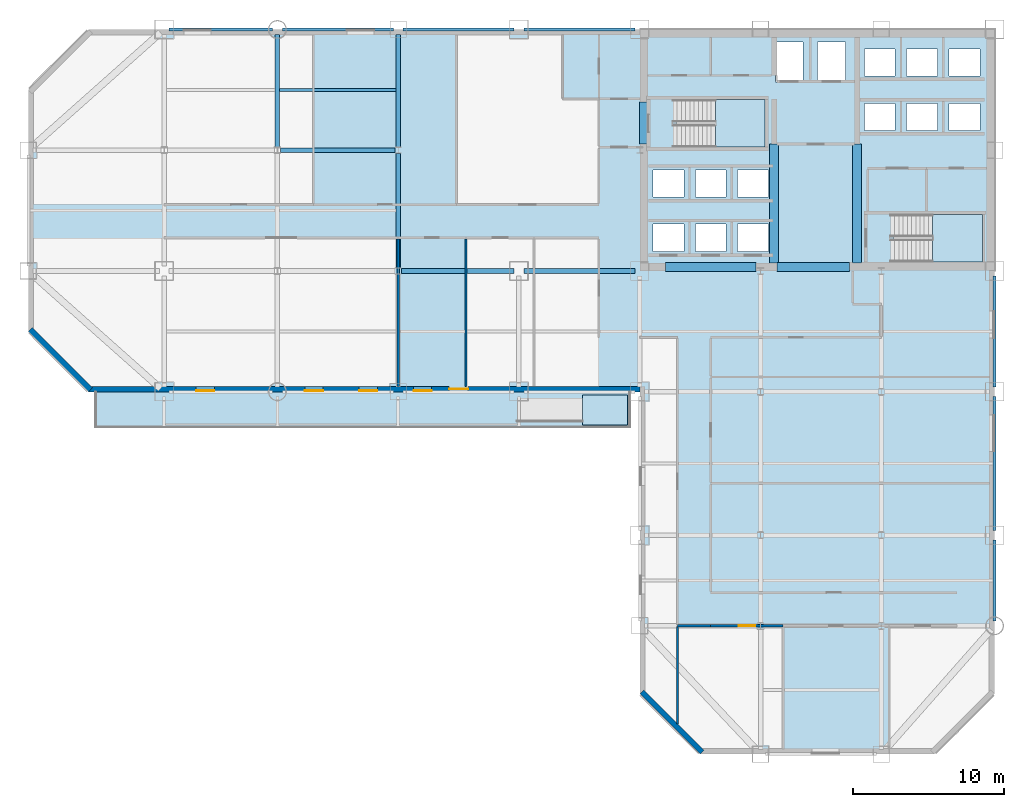
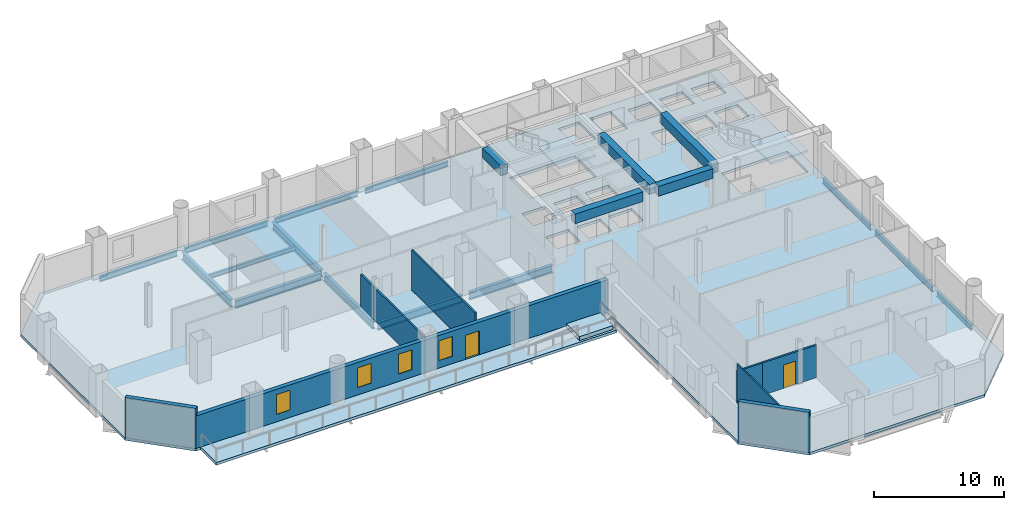
# One storey, part 4 of 9: 19 beams, 8 walls, 5 slabs, 4 windows, 2 doors, 6 openings, 3 elements without a shape of their own.
"""IFC4 building model written with IfcOpenShell, lengths in metres."""

from ifc_helpers import new_model, si_unit, direction, frame, frame_2d, origin, origin_2d, place, context, subcontext, project, spatial, polyline, rectangle, i_section, outline, extrude, material, layer, layer_set, material_profile, profile_set, type_object, element, fill, aggregate, save


model = new_model("IFC4")

# Units and contexts
model_context = context("Model", 3, precision=1e-05, world=origin(), true_north=direction((0.0, 1.0)))
body_context = subcontext(model_context, "Body", "Model", "MODEL_VIEW")
ifc_project = project(units=[si_unit("LENGTHUNIT", "METRE"), si_unit("AREAUNIT", "SQUARE_METRE"), si_unit("VOLUMEUNIT", "CUBIC_METRE"), si_unit("PLANEANGLEUNIT", "RADIAN"), si_unit("MASSUNIT", "GRAM", prefix="KILO")], contexts=[model_context])

# Site, building, storey
site_placement = place(None, origin())
site = spatial("IfcSite", under=ifc_project, at=site_placement, CompositionType="ELEMENT")
building_placement = place(site_placement, origin())
building = spatial("IfcBuilding", under=site, at=building_placement, Name="Qianrong Seaharbour Tower", CompositionType="ELEMENT")
storey_placement = place(building_placement, frame((0.0, 0.0, 100.199951171875)))
storey = spatial("IfcBuildingStorey", under=building, at=storey_placement, Name="L24", CompositionType="ELEMENT", Elevation=100.199951171875)

# Beams
ifc_material_1 = material(Name="Structural steel SN490B", Category="steel")
ifc_material_profile_1 = material_profile(ifc_material_1, i_section(OverallWidth=0.300048828125, OverallDepth=0.699951171875, WebThickness=0.012939453125, FlangeThickness=0.02392578125, FilletRadius=0.02587890625, at=origin_2d()), Name="H700x300x13x24")
ifc_profile_set_1 = profile_set([ifc_material_profile_1], Name="Structural steel SN490B")
beam_type_1 = type_object("IfcBeamType", Name="BM-G-700", PredefinedType="BEAM", material=ifc_profile_set_1)
beam_1_placement = place(storey_placement, frame((24.70361328125, 36.0, -0.599853515625), z_axis=(1.0, 0.0, 0.0), x_axis=(0.0, 1.0, 0.0)))
element("IfcBeam", 1, at=beam_1_placement, inside=storey, type_object=beam_type_1, Name="L24 Primary Girder GF G4-G5", PredefinedType="BEAM", context=body_context, shape_type="SweptSolid", body=[
    extrude(i_section(OverallWidth=0.300048828125, OverallDepth=0.699951171875, WebThickness=0.012939453125, FlangeThickness=0.02392578125, FilletRadius=0.02587890625, at=origin_2d()), origin(), (0.0, 0.0, 1.0), 7.476318359375),
])
beam_2_placement = place(storey_placement, frame((32.820068359375, 36.0, -0.599853515625), z_axis=(1.0, 0.0, 0.0), x_axis=(0.0, 1.0, 0.0)))
element("IfcBeam", 2, at=beam_2_placement, inside=storey, type_object=beam_type_1, Name="L24 Primary Girder GF G5-G6", PredefinedType="BEAM", context=body_context, shape_type="SweptSolid", body=[
    extrude(i_section(OverallWidth=0.300048828125, OverallDepth=0.699951171875, WebThickness=0.012939453125, FlangeThickness=0.02392578125, FilletRadius=0.02587890625, at=origin_2d()), origin(), (0.0, 0.0, 1.0), 7.35986328125),
])
beam_3_placement = place(storey_placement, frame((16.70361328125, 44.0, -0.599853515625), z_axis=(1.0, 0.0, 0.0), x_axis=(0.0, 1.0, 0.0)))
element("IfcBeam", 3, at=beam_3_placement, inside=storey, type_object=beam_type_1, Name="L24 Primary Girder GG G3-G4", PredefinedType="BEAM", context=body_context, shape_type="SweptSolid", body=[
    extrude(i_section(OverallWidth=0.300048828125, OverallDepth=0.699951171875, WebThickness=0.012939453125, FlangeThickness=0.02392578125, FilletRadius=0.02587890625, at=origin_2d()), origin(), (0.0, 0.0, 1.0), 7.5927734375),
])
beam_4_placement = place(storey_placement, frame((16.5, 44.214111328125, -0.599853515625), z_axis=(0.0, 1.0, 0.0), x_axis=(-1.0, 0.0, 0.0)))
element("IfcBeam", 4, at=beam_4_placement, inside=storey, type_object=beam_type_1, Name="L24 Primary Girder G3 GG-GH", PredefinedType="BEAM", context=body_context, shape_type="SweptSolid", body=[
    extrude(i_section(OverallWidth=0.300048828125, OverallDepth=0.699951171875, WebThickness=0.012939453125, FlangeThickness=0.02392578125, FilletRadius=0.02587890625, at=origin_2d()), origin(), (0.0, 0.0, 1.0), 7.4658203125),
])
beam_5_placement = place(storey_placement, frame((24.5, 36.214111328125, -0.599853515625), z_axis=(0.0, 1.0, 0.0), x_axis=(-1.0, 0.0, 0.0)))
element("IfcBeam", 5, at=beam_5_placement, inside=storey, type_object=beam_type_1, Name="L24 Primary Girder G4 GF-GG", PredefinedType="BEAM", context=body_context, shape_type="SweptSolid", body=[
    extrude(i_section(OverallWidth=0.300048828125, OverallDepth=0.699951171875, WebThickness=0.012939453125, FlangeThickness=0.02392578125, FilletRadius=0.02587890625, at=origin_2d()), origin(), (0.0, 0.0, 1.0), 7.57177734375),
])
beam_6_placement = place(storey_placement, frame((24.5, 44.214111328125, -0.599853515625), z_axis=(0.0, 1.0, 0.0), x_axis=(-1.0, 0.0, 0.0)))
element("IfcBeam", 6, at=beam_6_placement, inside=storey, type_object=beam_type_1, Name="L24 Primary Girder G4 GG-GH", PredefinedType="BEAM", context=body_context, shape_type="SweptSolid", body=[
    extrude(i_section(OverallWidth=0.300048828125, OverallDepth=0.699951171875, WebThickness=0.012939453125, FlangeThickness=0.02392578125, FilletRadius=0.02587890625, at=origin_2d()), origin(), (0.0, 0.0, 1.0), 7.4658203125),
])
ifc_material_2 = material(Name="Structural steel SN400B", Category="steel")
ifc_material_profile_2 = material_profile(ifc_material_2, i_section(OverallWidth=0.199951171875, OverallDepth=0.39990234375, WebThickness=0.008056640625, FlangeThickness=0.012939453125, FilletRadius=0.01611328125, at=origin_2d()), Name="H400x200x8x13")
ifc_profile_set_2 = profile_set([ifc_material_profile_2], Name="Structural steel SN400B")
beam_type_2 = type_object("IfcBeamType", Name="BM-J-400", PredefinedType="JOIST", material=ifc_profile_set_2)
beam_7_placement = place(storey_placement, frame((16.64990234375, 48.0, -0.449951171875), z_axis=(1.0, 0.0, 0.0), x_axis=(0.0, 1.0, 0.0)))
element("IfcBeam", 7, at=beam_7_placement, inside=storey, type_object=beam_type_2, Name="L24 Composite Floor Joist G3-G4/GG-GH", PredefinedType="JOIST", context=body_context, shape_type="SweptSolid", body=[
    extrude(i_section(OverallWidth=0.199951171875, OverallDepth=0.39990234375, WebThickness=0.008056640625, FlangeThickness=0.012939453125, FilletRadius=0.01611328125, at=origin_2d()), origin(), (0.0, 0.0, 1.0), 7.7001953125),
])
ifc_material_3 = material(Name="Concrete C70/85", Category="concrete")
ifc_material_profile_3 = material_profile(ifc_material_3, rectangle(XDim=0.60009765625, YDim=0.89990234375, at=origin_2d()), Name="RC600x900")
ifc_profile_set_3 = profile_set([ifc_material_profile_3], Name="Concrete C70/85")
beam_type_3 = type_object("IfcBeamType", Name="BM-LINTEL-900", PredefinedType="LINTEL", material=ifc_profile_set_3)
beam_8_placement = place(storey_placement, frame((40.77001953125, 44.39990234375, 3.300048828125), z_axis=(0.0, 1.0, 0.0), x_axis=(-1.0, 0.0, 0.0)))
element("IfcBeam", 8, at=beam_8_placement, inside=storey, type_object=beam_type_3, Name="L24 Core Coupling Lintel Beam West", PredefinedType="LINTEL", context=body_context, shape_type="SweptSolid", body=[
    extrude(rectangle(XDim=0.60009765625, YDim=0.89990234375, at=origin_2d()), origin(), (0.0, 0.0, 1.0), 2.800048828125),
])
beam_9_placement = place(storey_placement, frame((42.199951171875, 36.27001953125, 3.300048828125), z_axis=(1.0, 0.0, 0.0), x_axis=(0.0, 1.0, 0.0)))
element("IfcBeam", 9, at=beam_9_placement, inside=storey, type_object=beam_type_3, Name="L24 Core Coupling Lintel Beam CBW", PredefinedType="LINTEL", context=body_context, shape_type="SweptSolid", body=[
    extrude(rectangle(XDim=0.60009765625, YDim=0.89990234375, at=origin_2d()), origin(), (0.0, 0.0, 1.0), 6.0),
])
beam_10_placement = place(storey_placement, frame((49.60009765625, 36.27001953125, 3.300048828125), z_axis=(1.0, 0.0, 0.0), x_axis=(0.0, 1.0, 0.0)))
element("IfcBeam", 10, at=beam_10_placement, inside=storey, type_object=beam_type_3, Name="L24 Core Coupling Lintel Beam CBC", PredefinedType="LINTEL", context=body_context, shape_type="SweptSolid", body=[
    extrude(rectangle(XDim=0.60009765625, YDim=0.89990234375, at=origin_2d()), origin(), (0.0, 0.0, 1.0), 4.7998046875),
])
for number, where, z_axis, x_axis, name in (
    (11, (49.39990234375, 36.5400390625, 3.300048828125), (0.0, 1.0, 0.0), (-1.0, 0.0, 0.0), "L24 Internal Core Coupling Beam IW1"),
    (12, (54.89990234375, 36.5400390625, 3.300048828125), (0.0, 1.0, 0.0), (-1.0, 0.0, 0.0), "L24 Internal Core Coupling Beam IW2"),
):
    element("IfcBeam", number, at=place(storey_placement, frame(where, z_axis=z_axis, x_axis=x_axis)), inside=storey, type_object=beam_type_3, Name=name, PredefinedType="LINTEL", context=body_context, shape_type="SweptSolid", body=[
        extrude(rectangle(XDim=0.60009765625, YDim=0.89990234375, at=origin_2d()), origin(), (0.0, 0.0, 1.0), 7.85986328125),
    ])
ifc_material_profile_4 = material_profile(ifc_material_1, i_section(OverallWidth=0.199951171875, OverallDepth=0.5, WebThickness=0.010009765625, FlangeThickness=0.01611328125, FilletRadius=0.02001953125, at=origin_2d()), Name="H500x200x10x16")
ifc_profile_set_4 = profile_set([ifc_material_profile_4], Name="Structural steel SN490B")
beam_type_4 = type_object("IfcBeamType", Name="BM-SP-500", PredefinedType="SPANDREL", material=ifc_profile_set_4)
beam_11_placement = place(storey_placement, frame((9.320068359375, 52.0, -0.5), z_axis=(1.0, 0.0, 0.0), x_axis=(0.0, 1.0, 0.0)))
element("IfcBeam", 13, at=beam_11_placement, inside=storey, type_object=beam_type_4, Name="L24 Spandrel Girder GH G2-G3", PredefinedType="SPANDREL", context=body_context, shape_type="SweptSolid", body=[
    extrude(i_section(OverallWidth=0.199951171875, OverallDepth=0.5, WebThickness=0.010009765625, FlangeThickness=0.01611328125, FilletRadius=0.02001953125, at=origin_2d()), origin(), (0.0, 0.0, 1.0), 6.85986328125),
])
for number, where, z_axis, x_axis, name in (
    (14, (16.820068359375, 52.0, -0.5), (1.0, 0.0, 0.0), (0.0, 1.0, 0.0), "L24 Spandrel Girder GH G3-G4"),
    (15, (24.820068359375, 52.0, -0.5), (1.0, 0.0, 0.0), (0.0, 1.0, 0.0), "L24 Spandrel Girder GH G4-G5"),
    (16, (32.820068359375, 52.0, -0.5), (1.0, 0.0, 0.0), (0.0, 1.0, 0.0), "L24 Spandrel Girder GH G5-G6"),
):
    element("IfcBeam", number, at=place(storey_placement, frame(where, z_axis=z_axis, x_axis=x_axis)), inside=storey, type_object=beam_type_4, Name=name, PredefinedType="SPANDREL", context=body_context, shape_type="SweptSolid", body=[
        extrude(i_section(OverallWidth=0.199951171875, OverallDepth=0.5, WebThickness=0.010009765625, FlangeThickness=0.01611328125, FilletRadius=0.02001953125, at=origin_2d()), origin(), (0.0, 0.0, 1.0), 7.35986328125),
    ])
beam_12_placement = place(storey_placement, frame((64.0, 12.820068359375, -0.5), z_axis=(0.0, 1.0, 0.0), x_axis=(-1.0, 0.0, 0.0)))
element("IfcBeam", 17, at=beam_12_placement, inside=storey, type_object=beam_type_4, Name="L24 Spandrel Girder G9 GC-GD", PredefinedType="SPANDREL", context=body_context, shape_type="SweptSolid", body=[
    extrude(i_section(OverallWidth=0.199951171875, OverallDepth=0.5, WebThickness=0.010009765625, FlangeThickness=0.01611328125, FilletRadius=0.02001953125, at=origin_2d()), origin(), (0.0, 0.0, 1.0), 5.35986328125),
])
beam_13_placement = place(storey_placement, frame((64.0, 18.820068359375, -0.5), z_axis=(0.0, 1.0, 0.0), x_axis=(-1.0, 0.0, 0.0)))
element("IfcBeam", 18, at=beam_13_placement, inside=storey, type_object=beam_type_4, Name="L24 Spandrel Girder G9 GD-GE", PredefinedType="SPANDREL", context=body_context, shape_type="SweptSolid", body=[
    extrude(i_section(OverallWidth=0.199951171875, OverallDepth=0.5, WebThickness=0.010009765625, FlangeThickness=0.01611328125, FilletRadius=0.02001953125, at=origin_2d()), origin(), (0.0, 0.0, 1.0), 8.85986328125),
])
beam_14_placement = place(storey_placement, frame((64.0, 28.320068359375, -0.5), z_axis=(0.0, 1.0, 0.0), x_axis=(-1.0, 0.0, 0.0)))
element("IfcBeam", 19, at=beam_14_placement, inside=storey, type_object=beam_type_4, Name="L24 Spandrel Girder G9 GE-GF", PredefinedType="SPANDREL", context=body_context, shape_type="SweptSolid", body=[
    extrude(i_section(OverallWidth=0.199951171875, OverallDepth=0.5, WebThickness=0.010009765625, FlangeThickness=0.01611328125, FilletRadius=0.02001953125, at=origin_2d()), origin(), (0.0, 0.0, 1.0), 7.35986328125),
])

# Ramp, slab
ifc_material_4 = material(Name="White architectural precast concrete C45/55", Category="concrete")
ramp_type = type_object("IfcRampType", Name="RAMP-RIBBON-GARDEN", PredefinedType="STRAIGHT_RUN_RAMP", material=ifc_material_4)
ramp_placement = place(storey_placement, origin())
ramp = element("IfcRamp", 20, at=ramp_placement, inside=storey, type_object=ramp_type, Name="L24 Harbourfront Garden Ribbon Ramp", PredefinedType="STRAIGHT_RUN_RAMP")
ifc_layer_1 = layer(ifc_material_4, 0.360107421875)
ifc_layer_set_1 = layer_set([ifc_layer_1], Name="White architectural precast concrete C45/55")
slab_type_1 = type_object("IfcSlabType", Name="SLAB-RAMP-LANDING-220", PredefinedType="LANDING", material=ifc_layer_set_1)
slab_1_placement = place(storey_placement, origin())
slab_1 = element("IfcSlab", 21, at=slab_1_placement, type_object=slab_type_1, Name="L24 Harbourfront Ribbon Raised Garden Landing", PredefinedType="LANDING", context=body_context, shape_type="SweptSolid", body=[
    extrude(outline(polyline([(36.699951171875, 25.800048828125), (39.699951171875, 25.800048828125), (39.699951171875, 27.800048828125), (36.699951171875, 27.800048828125), (36.699951171875, 25.800048828125)])), origin(), (0.0, 0.0, 1.0), 0.360107421875),
])
aggregate(ramp, [slab_1])

# Slab
ifc_layer_2 = layer(ifc_material_4, 0.25)
ifc_layer_set_2 = layer_set([ifc_layer_2], Name="White architectural precast concrete C45/55")
slab_type_2 = type_object("IfcSlabType", Name="SLAB-RIBBON-250", PredefinedType="FLOOR", material=ifc_layer_set_2)
slab_2_placement = place(storey_placement, frame((0.0, 0.0, -0.25)))
element("IfcSlab", 22, at=slab_2_placement, inside=storey, type_object=slab_type_2, Name="L24 Harbourfront White Precast Ribbon Gallery Slab", PredefinedType="FLOOR", context=body_context, shape_type="SweptSolid", body=[
    extrude(outline(polyline([(4.39990234375, 25.60009765625), (39.89990234375, 25.60009765625), (39.89990234375, 28.0), (4.39990234375, 28.0), (4.39990234375, 25.60009765625)])), origin(), (0.0, 0.0, 1.0), 0.25),
])

# Stair, slab
ifc_material_5 = material(Name="Concrete C50/60", Category="concrete")
stair_type = type_object("IfcStairType", Name="STAIR-DOGLEG-1500-R22", PredefinedType="HALF_TURN_STAIR", material=ifc_material_5)
stair_1_placement = place(storey_placement, origin())
stair_1 = element("IfcStair", 23, at=stair_1_placement, inside=storey, type_object=stair_type, Name="L24 Protected Escape Stair ST-1", PredefinedType="HALF_TURN_STAIR")
ifc_layer_3 = layer(ifc_material_5, 0.199951171875)
ifc_layer_set_3 = layer_set([ifc_layer_3], Name="Concrete C50/60")
slab_type_3 = type_object("IfcSlabType", Name="SLAB-STAIR-LANDING-200", PredefinedType="LANDING", material=ifc_layer_set_3)
slab_3_placement = place(storey_placement, frame((0.0, 0.0, 1.800048828125)))
slab_3 = element("IfcSlab", 24, at=slab_3_placement, type_object=slab_type_3, Name="ST-1 landing 1", PredefinedType="LANDING", context=body_context, shape_type="SweptSolid", body=[
    extrude(outline(polyline([(45.5, 44.199951171875), (48.800048828125, 44.199951171875), (48.800048828125, 47.35009765625), (45.5, 47.35009765625), (45.5, 44.199951171875)])), origin(), (0.0, 0.0, 1.0), 0.199951171875),
])
aggregate(stair_1, [slab_3])

stair_2_placement = place(storey_placement, origin())
stair_2 = element("IfcStair", 25, at=stair_2_placement, inside=storey, type_object=stair_type, Name="L24 Protected Escape Stair ST-2", PredefinedType="HALF_TURN_STAIR")
slab_4_placement = place(storey_placement, frame((0.0, 0.0, 1.800048828125)))
slab_4 = element("IfcSlab", 26, at=slab_4_placement, type_object=slab_type_3, Name="ST-2 landing 1", PredefinedType="LANDING", context=body_context, shape_type="SweptSolid", body=[
    extrude(outline(polyline([(59.89990234375, 36.60009765625), (63.199951171875, 36.60009765625), (63.199951171875, 39.75), (59.89990234375, 39.75), (59.89990234375, 36.60009765625)])), origin(), (0.0, 0.0, 1.0), 0.199951171875),
])
aggregate(stair_2, [slab_4])

# Slab
ifc_layer_4 = layer(ifc_material_5, 0.25)
ifc_layer_set_4 = layer_set([ifc_layer_4], Name="Concrete C50/60")
slab_type_4 = type_object("IfcSlabType", Name="SLAB-Z1-250", PredefinedType="FLOOR", material=ifc_layer_set_4)
slab_5_placement = place(storey_placement, frame((0.0, 0.0, -0.25)))
element("IfcSlab", 27, at=slab_5_placement, inside=storey, type_object=slab_type_4, Name="L24 Structural Floor Slab", PredefinedType="FLOOR", context=body_context, shape_type="SweptSolid", body=[
    extrude(outline(polyline([(44.5, 4.0), (60.0, 4.0), (64.0, 8.0), (64.0, 52.0), (4.0, 52.0), (0.0, 48.0), (0.0, 32.0), (4.0, 28.0), (40.5, 28.0), (40.5, 8.0), (44.5, 4.0)]), holes=[polyline([(42.93994140625, 44.199951171875), (42.93994140625, 47.35009765625), (48.800048828125, 47.35009765625), (48.800048828125, 44.199951171875), (42.93994140625, 44.199951171875)]), polyline([(57.340087890625, 36.60009765625), (57.340087890625, 39.75), (63.199951171875, 39.75), (63.199951171875, 36.60009765625), (57.340087890625, 36.60009765625)]), polyline([(49.47998046875, 48.530029296875), (49.47998046875, 51.169921875), (51.320068359375, 51.169921875), (51.320068359375, 48.530029296875), (49.47998046875, 48.530029296875)]), polyline([(52.280029296875, 48.530029296875), (52.280029296875, 51.169921875), (54.1201171875, 51.169921875), (54.1201171875, 48.530029296875), (52.280029296875, 48.530029296875)]), polyline([(41.3798828125, 37.300048828125), (41.3798828125, 39.10009765625), (43.419921875, 39.10009765625), (43.419921875, 37.300048828125), (41.3798828125, 37.300048828125)]), polyline([(44.179931640625, 37.300048828125), (44.179931640625, 39.10009765625), (46.219970703125, 39.10009765625), (46.219970703125, 37.300048828125), (44.179931640625, 37.300048828125)]), polyline([(46.97998046875, 37.300048828125), (46.97998046875, 39.10009765625), (49.02001953125, 39.10009765625), (49.02001953125, 37.300048828125), (46.97998046875, 37.300048828125)]), polyline([(41.3798828125, 40.89990234375), (41.3798828125, 42.699951171875), (43.419921875, 42.699951171875), (43.419921875, 40.89990234375), (41.3798828125, 40.89990234375)]), polyline([(44.179931640625, 40.89990234375), (44.179931640625, 42.699951171875), (46.219970703125, 42.699951171875), (46.219970703125, 40.89990234375), (44.179931640625, 40.89990234375)]), polyline([(46.97998046875, 40.89990234375), (46.97998046875, 42.699951171875), (49.02001953125, 42.699951171875), (49.02001953125, 40.89990234375), (46.97998046875, 40.89990234375)]), polyline([(55.3798828125, 45.300048828125), (55.3798828125, 47.10009765625), (57.419921875, 47.10009765625), (57.419921875, 45.300048828125), (55.3798828125, 45.300048828125)]), polyline([(58.179931640625, 45.300048828125), (58.179931640625, 47.10009765625), (60.219970703125, 47.10009765625), (60.219970703125, 45.300048828125), (58.179931640625, 45.300048828125)]), polyline([(60.97998046875, 45.300048828125), (60.97998046875, 47.10009765625), (63.02001953125, 47.10009765625), (63.02001953125, 45.300048828125), (60.97998046875, 45.300048828125)]), polyline([(55.3798828125, 48.89990234375), (55.3798828125, 50.699951171875), (57.419921875, 50.699951171875), (57.419921875, 48.89990234375), (55.3798828125, 48.89990234375)]), polyline([(58.179931640625, 48.89990234375), (58.179931640625, 50.699951171875), (60.219970703125, 50.699951171875), (60.219970703125, 48.89990234375), (58.179931640625, 48.89990234375)]), polyline([(60.97998046875, 48.89990234375), (60.97998046875, 50.699951171875), (63.02001953125, 50.699951171875), (63.02001953125, 48.89990234375), (60.97998046875, 48.89990234375)])]), origin(), (0.0, 0.0, 1.0), 0.25),
])

# Wall
ifc_material_6 = material(Name="Fire-rated acoustic gypsum board partition")
ifc_layer_5 = layer(ifc_material_6, 0.1650390625)
ifc_layer_set_5 = layer_set([ifc_layer_5], Name="Fire-rated acoustic gypsum board partition")
wall_type_1 = type_object("IfcWallType", Name="WALL-CORR-PART-165", PredefinedType="PARTITIONING", material=ifc_layer_set_5)
wall_1_placement = place(storey_placement, frame((45.199951171875, 12.5, 0.0), z_axis=(0.0, 0.0, 1.0), x_axis=(-1.0, 0.0, 0.0)))
element("IfcWall", 28, at=wall_1_placement, inside=storey, type_object=wall_type_1, Name="L24 Interior Partition Wall 033", PredefinedType="PARTITIONING", context=body_context, shape_type="SweptSolid", body=[
    extrude(rectangle(XDim=2.199951171875, YDim=0.1650390625, at=frame_2d((1.10009765625, 0.0))), origin(), (0.0, 0.0, 1.0), 3.0419921875),
])

# Wall, opening, door
wall_2_placement = place(storey_placement, frame((50.0, 12.5, 0.0), z_axis=(0.0, 0.0, 1.0), x_axis=(-1.0, 0.0, 0.0)))
wall_2 = element("IfcWall", 29, at=wall_2_placement, inside=storey, type_object=wall_type_1, Name="L24 Interior Partition Wall 035", PredefinedType="PARTITIONING", context=body_context, shape_type="SweptSolid", body=[
    extrude(rectangle(XDim=4.800048828125, YDim=0.1650390625, at=frame_2d((2.39990234375, 0.0))), origin(), (0.0, 0.0, 1.0), 3.0419921875),
])
opening_1_placement = place(wall_2_placement, frame((1.85009765625, 0.0, 0.0)))
opening_1 = element("IfcOpeningElement", 30, at=opening_1_placement, cuts=wall_2, Name="Opening DM-01", PredefinedType="OPENING", context=body_context, shape_type="SweptSolid", body=[
    extrude(rectangle(XDim=1.10009765625, YDim=2.199951171875, at=frame_2d((0.550048828125, 1.10009765625))), frame((0.0, 0.092529296875, 0.0), z_axis=(0.0, -1.0, 0.0), x_axis=(1.0, 0.0, 0.0)), (0.0, 0.0, 1.0), 0.18505859375),
])
ifc_material_7 = material(Name="Acoustic timber and galvanized steel fire door assembly", Category="steel")
door_type_1 = type_object("IfcDoorType", Name="DOOR-MEET-1100x2200", OperationType="NOTDEFINED", PredefinedType="DOOR", material=ifc_material_7)
door_1_placement = place(opening_1_placement, origin())
door_1 = element("IfcDoor", 31, at=door_1_placement, inside=storey, type_object=door_type_1, Name="L24 Mediation Meeting Room 1 Door", OperationType="SINGLE_SWING_LEFT", OverallHeight=2.199951171875, OverallWidth=1.10009765625, PredefinedType="DOOR", context=body_context, shape_type="SweptSolid", body=[
    extrude(rectangle(XDim=1.10009765625, YDim=2.199951171875, at=frame_2d((0.550048828125, 1.10009765625))), frame((0.0, 0.02490234375, 0.0), z_axis=(0.0, -1.0, 0.0), x_axis=(1.0, 0.0, 0.0)), (0.0, 0.0, 1.0), 0.050048828125),
])
fill(opening_1, door_1)

# Wall, openings, door, windows
ifc_material_8 = material(Name="Unitised red brick on Precast concrete C45/55", Category="masonry")
ifc_layer_6 = layer(ifc_material_8, 0.360107421875)
ifc_layer_set_6 = layer_set([ifc_layer_6], Name="Unitised red brick on Precast concrete C45/55")
wall_type_2 = type_object("IfcWallType", Name="WALL-EXT-BRICK-RED-360", PredefinedType="SOLIDWALL", material=ifc_layer_set_6)
wall_3_placement = place(storey_placement, frame((40.52001953125, 28.179931640625, 0.0), z_axis=(0.0, 0.0, 1.0), x_axis=(-1.0, 0.0, 0.0)))
wall_3 = element("IfcWall", 32, at=wall_3_placement, inside=storey, type_object=wall_type_2, Name="L24 Exterior Masonry Facade Wall HARBOUR_RIBBON", PredefinedType="SOLIDWALL", context=body_context, shape_type="SweptSolid", body=[
    extrude(rectangle(XDim=36.52001953125, YDim=0.360107421875, at=frame_2d((18.260009765625, 0.0))), origin(), (0.0, 0.0, 1.0), 3.050048828125),
])
opening_2_placement = place(wall_3_placement, frame((13.800048828125, 0.0, 0.699951171875)))
opening_2 = element("IfcOpeningElement", 33, at=opening_2_placement, cuts=wall_3, Name="Opening WN-01", PredefinedType="OPENING", context=body_context, shape_type="SweptSolid", body=[
    extrude(rectangle(XDim=1.199951171875, YDim=1.85009765625, at=frame_2d((0.60009765625, 0.925048828125))), frame((0.0, 0.18994140625, 0.0), z_axis=(0.0, -1.0, 0.0), x_axis=(1.0, 0.0, 0.0)), (0.0, 0.0, 1.0), 0.380126953125),
])
opening_3_placement = place(wall_3_placement, frame((17.39990234375, 0.0, 0.699951171875)))
opening_3 = element("IfcOpeningElement", 34, at=opening_3_placement, cuts=wall_3, Name="Opening WN-01", PredefinedType="OPENING", context=body_context, shape_type="SweptSolid", body=[
    extrude(rectangle(XDim=1.199951171875, YDim=1.85009765625, at=frame_2d((0.60009765625, 0.925048828125))), frame((0.0, 0.18994140625, 0.0), z_axis=(0.0, -1.0, 0.0), x_axis=(1.0, 0.0, 0.0)), (0.0, 0.0, 1.0), 0.380126953125),
])
opening_4_placement = place(wall_3_placement, frame((21.0, 0.0, 0.699951171875)))
opening_4 = element("IfcOpeningElement", 35, at=opening_4_placement, cuts=wall_3, Name="Opening WN-01", PredefinedType="OPENING", context=body_context, shape_type="SweptSolid", body=[
    extrude(rectangle(XDim=1.199951171875, YDim=1.85009765625, at=frame_2d((0.60009765625, 0.925048828125))), frame((0.0, 0.18994140625, 0.0), z_axis=(0.0, -1.0, 0.0), x_axis=(1.0, 0.0, 0.0)), (0.0, 0.0, 1.0), 0.380126953125),
])
opening_5_placement = place(wall_3_placement, frame((28.199951171875, 0.0, 0.699951171875)))
opening_5 = element("IfcOpeningElement", 36, at=opening_5_placement, cuts=wall_3, Name="Opening WN-01", PredefinedType="OPENING", context=body_context, shape_type="SweptSolid", body=[
    extrude(rectangle(XDim=1.199951171875, YDim=1.85009765625, at=frame_2d((0.60009765625, 0.925048828125))), frame((0.0, 0.18994140625, 0.0), z_axis=(0.0, -1.0, 0.0), x_axis=(1.0, 0.0, 0.0)), (0.0, 0.0, 1.0), 0.380126953125),
])
opening_6_placement = place(wall_3_placement, frame((11.39501953125, 0.0, 0.0)))
opening_6 = element("IfcOpeningElement", 37, at=opening_6_placement, cuts=wall_3, Name="Opening D-TER1", PredefinedType="OPENING", context=body_context, shape_type="SweptSolid", body=[
    extrude(rectangle(XDim=1.25, YDim=2.25, at=frame_2d((0.625, 1.125))), frame((0.0, 0.18994140625, 0.0), z_axis=(0.0, -1.0, 0.0), x_axis=(1.0, 0.0, 0.0)), (0.0, 0.0, 1.0), 0.380126953125),
])
ifc_material_9 = material(Name="Insulated galvanized steel and laminated glass door assembly", Category="steel")
door_type_2 = type_object("IfcDoorType", Name="DOOR-EXT-TERRACE-1250x2250", OperationType="NOTDEFINED", PredefinedType="DOOR", material=ifc_material_9)
door_2_placement = place(opening_6_placement, origin())
door_2 = element("IfcDoor", 38, at=door_2_placement, inside=storey, type_object=door_type_2, Name="L24 Harbourfront Ribbon Gallery Access Door", OperationType="SINGLE_SWING_LEFT", OverallHeight=2.25, OverallWidth=1.25, PredefinedType="DOOR", context=body_context, shape_type="SweptSolid", body=[
    extrude(rectangle(XDim=1.25, YDim=2.25, at=frame_2d((0.625, 1.125))), frame((0.0, 0.02490234375, 0.0), z_axis=(0.0, -1.0, 0.0), x_axis=(1.0, 0.0, 0.0)), (0.0, 0.0, 1.0), 0.050048828125),
])
fill(opening_6, door_2)
ifc_material_10 = material(Name="Insulated low-e double glazing in thermally broken aluminium 6063-T6 frame", Category="aluminium")
window_type = type_object("IfcWindowType", Name="WIN-PUNCH-1200x1850", PartitioningType="DOUBLE_PANEL_VERTICAL", PredefinedType="WINDOW", material=ifc_material_10)
window_1_placement = place(opening_2_placement, origin())
window_1 = element("IfcWindow", 39, at=window_1_placement, inside=storey, type_object=window_type, Name="L24 Deep-Set Punched Window 01.04", OverallHeight=1.85009765625, OverallWidth=1.199951171875, PartitioningType="DOUBLE_PANEL_VERTICAL", PredefinedType="WINDOW", context=body_context, shape_type="SweptSolid", body=[
    extrude(rectangle(XDim=1.199951171875, YDim=1.85009765625, at=frame_2d((0.60009765625, 0.925048828125))), frame((0.0, 0.150146484375, 0.0), z_axis=(0.0, -1.0, 0.0), x_axis=(1.0, 0.0, 0.0)), (0.0, 0.0, 1.0), 0.06005859375),
])
fill(opening_2, window_1)
window_2_placement = place(opening_3_placement, origin())
window_2 = element("IfcWindow", 40, at=window_2_placement, inside=storey, type_object=window_type, Name="L24 Deep-Set Punched Window 01.05", OverallHeight=1.85009765625, OverallWidth=1.199951171875, PartitioningType="DOUBLE_PANEL_VERTICAL", PredefinedType="WINDOW", context=body_context, shape_type="SweptSolid", body=[
    extrude(rectangle(XDim=1.199951171875, YDim=1.85009765625, at=frame_2d((0.60009765625, 0.925048828125))), frame((0.0, 0.150146484375, 0.0), z_axis=(0.0, -1.0, 0.0), x_axis=(1.0, 0.0, 0.0)), (0.0, 0.0, 1.0), 0.06005859375),
])
fill(opening_3, window_2)
window_3_placement = place(opening_4_placement, origin())
window_3 = element("IfcWindow", 41, at=window_3_placement, inside=storey, type_object=window_type, Name="L24 Deep-Set Punched Window 01.06", OverallHeight=1.85009765625, OverallWidth=1.199951171875, PartitioningType="DOUBLE_PANEL_VERTICAL", PredefinedType="WINDOW", context=body_context, shape_type="SweptSolid", body=[
    extrude(rectangle(XDim=1.199951171875, YDim=1.85009765625, at=frame_2d((0.60009765625, 0.925048828125))), frame((0.0, 0.150146484375, 0.0), z_axis=(0.0, -1.0, 0.0), x_axis=(1.0, 0.0, 0.0)), (0.0, 0.0, 1.0), 0.06005859375),
])
fill(opening_4, window_3)
window_4_placement = place(opening_5_placement, origin())
window_4 = element("IfcWindow", 42, at=window_4_placement, inside=storey, type_object=window_type, Name="L24 Deep-Set Punched Window 01.08", OverallHeight=1.85009765625, OverallWidth=1.199951171875, PartitioningType="DOUBLE_PANEL_VERTICAL", PredefinedType="WINDOW", context=body_context, shape_type="SweptSolid", body=[
    extrude(rectangle(XDim=1.199951171875, YDim=1.85009765625, at=frame_2d((0.60009765625, 0.925048828125))), frame((0.0, 0.150146484375, 0.0), z_axis=(0.0, -1.0, 0.0), x_axis=(1.0, 0.0, 0.0)), (0.0, 0.0, 1.0), 0.06005859375),
])
fill(opening_5, window_4)

# Walls
for number, where, z_axis, x_axis, name in (
    (43, (4.127197265625, 28.127197265625, 0.0), (0.0, 0.0, 1.0), (-0.707106781187, 0.707106781187, 0.0), "L24 Exterior Masonry Facade Wall E02"),
    (44, (44.627197265625, 4.127197265625, 0.0), (0.0, 0.0, 1.0), (-0.707106781187, 0.707106781187, 0.0), "L24 Exterior Masonry Facade Wall E09"),
):
    element("IfcWall", number, at=place(storey_placement, frame(where, z_axis=z_axis, x_axis=x_axis)), inside=storey, type_object=wall_type_2, Name=name, PredefinedType="SOLIDWALL", context=body_context, shape_type="SweptSolid", body=[
        extrude(rectangle(XDim=5.65673828125, YDim=0.360107421875, at=frame_2d((2.828369140625, 0.0))), origin(), (0.0, 0.0, 1.0), 3.75),
    ])
ifc_material_11 = material(Name="Acoustic gypsum board stud partition")
ifc_layer_7 = layer(ifc_material_11, 0.14501953125)
ifc_layer_set_7 = layer_set([ifc_layer_7], Name="Acoustic gypsum board stud partition")
wall_type_3 = type_object("IfcWallType", Name="WALL-OFFICE-PART-145", PredefinedType="PARTITIONING", material=ifc_layer_set_7)
wall_4_placement = place(storey_placement, frame((24.5, 38.12548828125, 0.0), z_axis=(0.0, 0.0, 1.0), x_axis=(0.0, -1.0, 0.0)))
element("IfcWall", 45, at=wall_4_placement, inside=storey, type_object=wall_type_3, Name="L24 Interior Partition Wall 040", PredefinedType="PARTITIONING", context=body_context, shape_type="SweptSolid", body=[
    extrude(rectangle(XDim=9.7734375, YDim=0.14501953125, at=frame_2d((4.88671875, 0.0))), origin(), (0.0, 0.0, 1.0), 3.0419921875),
])
wall_5_placement = place(storey_placement, frame((29.0, 38.12548828125, 0.0), z_axis=(0.0, 0.0, 1.0), x_axis=(0.0, -1.0, 0.0)))
element("IfcWall", 46, at=wall_5_placement, inside=storey, type_object=wall_type_3, Name="L24 Interior Partition Wall 041", PredefinedType="PARTITIONING", context=body_context, shape_type="SweptSolid", body=[
    extrude(rectangle(XDim=9.7734375, YDim=0.14501953125, at=frame_2d((4.88671875, 0.0))), origin(), (0.0, 0.0, 1.0), 3.75),
])
ifc_material_12 = material(Name="Water-resistant cement board sanitary partition")
ifc_layer_8 = layer(ifc_material_12, 0.1298828125)
ifc_layer_set_8 = layer_set([ifc_layer_8], Name="Water-resistant cement board sanitary partition")
wall_type_4 = type_object("IfcWallType", Name="WALL-WET-PART-130", PredefinedType="PARTITIONING", material=ifc_layer_set_8)
wall_6_placement = place(storey_placement, frame((43.0, 12.425537109375, 0.0), z_axis=(0.0, 0.0, 1.0), x_axis=(0.0, -1.0, 0.0)))
element("IfcWall", 47, at=wall_6_placement, inside=storey, type_object=wall_type_4, Name="L24 Interior Partition Wall 045", PredefinedType="PARTITIONING", context=body_context, shape_type="SweptSolid", body=[
    extrude(rectangle(XDim=6.427734375, YDim=0.1298828125, at=frame_2d((3.2138671875, 0.0))), origin(), (0.0, 0.0, 1.0), 3.75),
])

save(model, "model.ifc")
